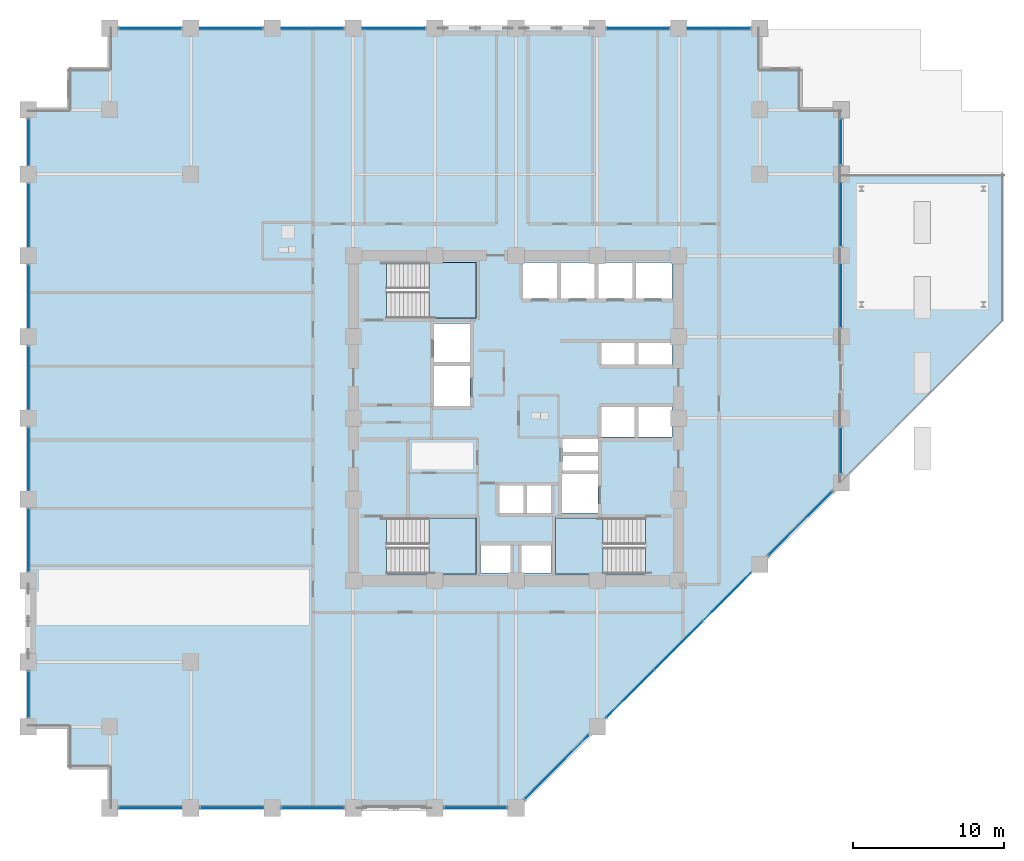
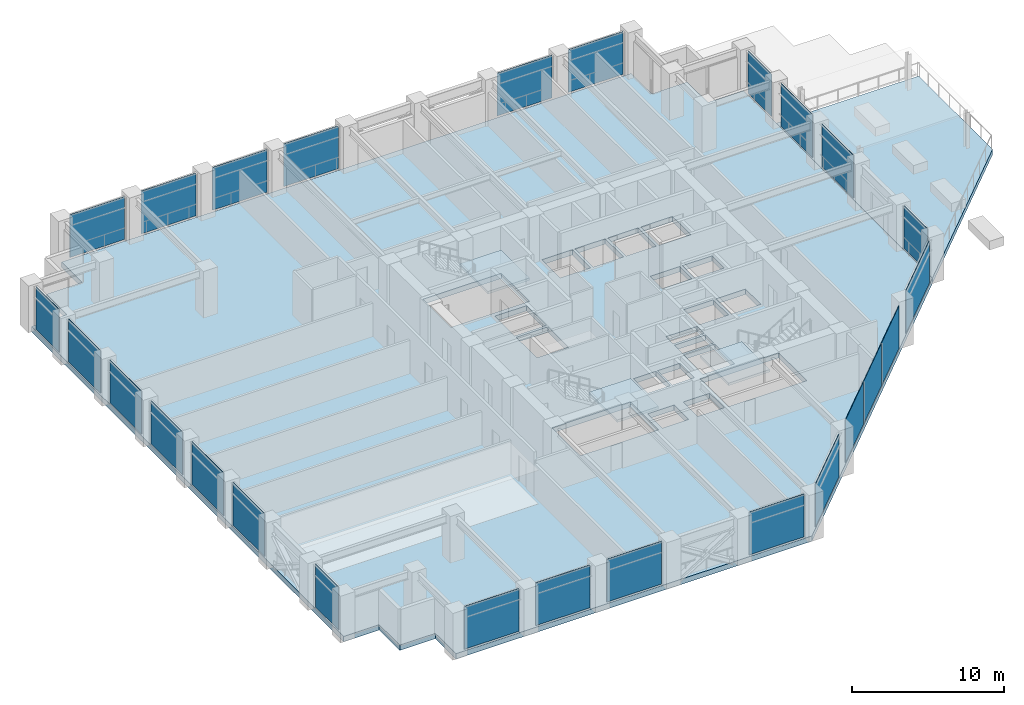
# One storey, part 18 of 30: 26 plates, 5 slabs, 12 elements without a shape of their own.
"""IFC4 building model written with IfcOpenShell, lengths in metres."""

import ifcopenshell
import ifcopenshell.guid

model = None  # the IFC model being written
_history = None  # IfcOwnerHistory: only IFC2X3 demands one
_inside = {}  # id of a spatial element -> (the spatial element, [elements in it])
_under = {}  # id of a project, library or spatial element -> (it, [spatial elements below it])
_declared = {}  # id of a project -> (the project, [libraries it declares])
_typed = {}  # id of a type object -> (the type object, [elements of that type])
_made_of = {}  # id of a material, layer set ... -> (it, [elements and type objects made of it])


def new_model(schema):
    """Start an empty IFC model of exactly this schema.

    Asked for "IFC4X3", IfcOpenShell would pick the latest addendum, in which some entities
    have other attributes; the version numbers below select the first issue.
    IFC2X3 requires an IfcOwnerHistory on every rooted entity: one is made here for all.
    """
    global model, _history
    if schema == "IFC4X3":
        model = ifcopenshell.file(schema_version=(4, 3, 0, 0))
    else:
        model = ifcopenshell.file(schema=schema)
    _inside.clear()
    _under.clear()
    _declared.clear()
    _typed.clear()
    _made_of.clear()
    _history = None
    if model.schema == "IFC2X3":
        org = make("IfcOrganization", Name="unknown")
        user = make(
            "IfcPersonAndOrganization",
            ThePerson=make("IfcPerson", FamilyName="unknown"),
            TheOrganization=org,
        )
        app = make(
            "IfcApplication",
            ApplicationDeveloper=org,
            Version="unknown",
            ApplicationFullName="unknown",
            ApplicationIdentifier="unknown",
        )
        _history = make(
            "IfcOwnerHistory",
            OwningUser=user,
            OwningApplication=app,
            ChangeAction="ADDED",
            CreationDate=0,
        )
    return model


def make(cls, **values):
    """One entity of the class cls with the attributes given. An attribute that is None is left unset."""
    return model.create_entity(
        cls, **{name: value for name, value in values.items() if value is not None}
    )


def rooted(cls, **values):
    """An entity with a GlobalId (a new one), such as an element, a storey or a relation."""
    return make(cls, GlobalId=ifcopenshell.guid.new(), OwnerHistory=_history, **values)


def si_unit(unit_type, name, prefix=None):
    """IfcSIUnit, for example si_unit("LENGTHUNIT", "METRE", prefix="MILLI")."""
    return make("IfcSIUnit", UnitType=unit_type, Prefix=prefix, Name=name)


def assignment(units):
    """IfcUnitAssignment: the units of a project."""
    return None if units is None else make("IfcUnitAssignment", Units=units)


def point(xyz):
    """IfcCartesianPoint."""
    return None if xyz is None else make("IfcCartesianPoint", Coordinates=xyz)


def direction(xyz):
    """IfcDirection."""
    return None if xyz is None else make("IfcDirection", DirectionRatios=xyz)


def frame(location, z_axis=None, x_axis=None):
    """IfcAxis2Placement3D, a coordinate frame: its origin and axes. An axis left out is left unset."""
    return make(
        "IfcAxis2Placement3D",
        Location=point(location),
        Axis=direction(z_axis),
        RefDirection=direction(x_axis),
    )


def frame_2d(location, x_axis=None):
    """IfcAxis2Placement2D, a coordinate frame in the plane: its origin and x axis."""
    return make(
        "IfcAxis2Placement2D", Location=point(location), RefDirection=direction(x_axis)
    )


def origin():
    """The frame at (0, 0, 0) with its axes left unset."""
    return frame((0.0, 0.0, 0.0))


def place(relative_to, where):
    """IfcLocalPlacement: puts the frame where relative to a parent placement (None: the world)."""
    return make(
        "IfcLocalPlacement", PlacementRelTo=relative_to, RelativePlacement=where
    )


def context(
    kind, dimensions, precision=None, world=None, true_north=None, identifier=None
):
    """IfcGeometricRepresentationContext, for example the 3D "Model" context."""
    return make(
        "IfcGeometricRepresentationContext",
        ContextIdentifier=identifier,
        ContextType=kind,
        CoordinateSpaceDimension=dimensions,
        Precision=precision,
        WorldCoordinateSystem=world,
        TrueNorth=true_north,
    )


def subcontext(parent, identifier, kind, view, scale=None):
    """IfcGeometricRepresentationSubContext, for example "Body" below "Model"."""
    return make(
        "IfcGeometricRepresentationSubContext",
        ContextIdentifier=identifier,
        ContextType=kind,
        ParentContext=parent,
        TargetScale=scale,
        TargetView=view,
    )


def project(units=None, contexts=None):
    """IfcProject with its units and contexts."""
    return rooted(
        "IfcProject",
        Name="project",
        RepresentationContexts=contexts,
        UnitsInContext=assignment(units),
    )


def spatial(cls, under=None, at=None, **own):
    """A site, building, storey or space (cls), placed at a placement, below another one or the project."""
    s = rooted(cls, ObjectPlacement=at, **own)
    if under is not None:
        _under.setdefault(under.id(), (under, []))[1].append(s)
    return s


def polyline(points):
    """IfcPolyline through the points."""
    return make("IfcPolyline", Points=[point(p) for p in points])


def profile(cls, at=None, kind="AREA", **sizes):
    """A parametric profile (cls). Its sizes go by their IFC names, for example OverallWidth=200.0."""
    return make(cls, ProfileType=kind, Position=at, **sizes)


def rectangle(**sizes):
    """IfcRectangleProfileDef."""
    return profile("IfcRectangleProfileDef", **sizes)


def outline(outer, holes=None, kind="AREA"):
    """IfcArbitraryClosedProfileDef: a profile drawn as a closed curve; with holes, ...WithVoids."""
    if holes is None:
        return make("IfcArbitraryClosedProfileDef", ProfileType=kind, OuterCurve=outer)
    return make(
        "IfcArbitraryProfileDefWithVoids",
        ProfileType=kind,
        OuterCurve=outer,
        InnerCurves=holes,
    )


def extrude(swept, where, along, depth):
    """IfcExtrudedAreaSolid: the profile swept, set in the frame where, extruded along a direction by depth."""
    return make(
        "IfcExtrudedAreaSolid",
        SweptArea=swept,
        Position=where,
        ExtrudedDirection=direction(along),
        Depth=depth,
    )


def shape(context_of_items, identifier, shape_type, items):
    """IfcShapeRepresentation: the items that make up one representation, for example the "Body"."""
    return make(
        "IfcShapeRepresentation",
        ContextOfItems=context_of_items,
        RepresentationIdentifier=identifier,
        RepresentationType=shape_type,
        Items=items,
    )


def material(Name=None, Category=None):
    """IfcMaterial."""
    return make("IfcMaterial", Name=Name, Category=Category)


def layer(
    of_material, thickness, ventilated=None, Name=None, Category=None, Priority=None
):
    """IfcMaterialLayer: one layer of a wall or slab, of a material (None: an air gap)."""
    return make(
        "IfcMaterialLayer",
        Material=of_material,
        LayerThickness=thickness,
        IsVentilated=ventilated,
        Name=Name,
        Category=Category,
        Priority=Priority,
    )


def layer_set(layers, Name=None):
    """IfcMaterialLayerSet."""
    return make("IfcMaterialLayerSet", MaterialLayers=layers, LayerSetName=Name)


def made_of(thing, what):
    """Note that an element or type object is made of a material, layer set ...; save() writes the relation."""
    if what is not None:
        _made_of.setdefault(what.id(), (what, []))[1].append(thing)
    return thing


def type_object(cls, material=None, **own):
    """A type object (cls), such as IfcWallType, which elements share."""
    return made_of(rooted(cls, **own), material)


def element(
    cls,
    number,
    at=None,
    inside=None,
    cuts=None,
    type_object=None,
    material=None,
    context=None,
    identifier="Body",
    shape_type=None,
    held_by="IfcProductDefinitionShape",
    body=None,
    shapes=None,
    **own,
):
    """One element of the class cls, such as IfcWall. Its Tag is "e" and its number.

    at: its placement. inside: the storey or other place that contains it. cuts: it is an
    opening in that element (IfcRelVoidsElement). A single representation is given by context,
    identifier, shape_type and body (its items); several are given by shapes. held_by: the class
    of the entity that holds the representations. save() writes the other relations.
    """
    e = rooted(cls, Tag="e%d" % number, ObjectPlacement=at, **own)
    if body is not None:
        shapes = [shape(context, identifier, shape_type, body)]
    if shapes is not None:
        e.Representation = make(held_by, Representations=shapes)
    if inside is not None:
        _inside.setdefault(inside.id(), (inside, []))[1].append(e)
    if cuts is not None:
        rooted(
            "IfcRelVoidsElement", RelatingBuildingElement=cuts, RelatedOpeningElement=e
        )
    if type_object is not None:
        _typed.setdefault(type_object.id(), (type_object, []))[1].append(e)
    return made_of(e, material)


def aggregate(whole, parts):
    """IfcRelAggregates: a whole, such as a stair, and the parts it consists of."""
    return rooted("IfcRelAggregates", RelatingObject=whole, RelatedObjects=parts)


def save(model, path):
    """Write the relations noted so far, then the file.

    IfcRelAggregates (storeys below a building ...), IfcRelContainedInSpatialStructure (elements
    in a storey), IfcRelDefinesByType, IfcRelAssociatesMaterial and IfcRelDeclares: one each for
    every whole, place, type object, material and project.
    """
    for whole, parts in _under.values():
        aggregate(whole, parts)
    for where, things in _inside.values():
        rooted(
            "IfcRelContainedInSpatialStructure",
            RelatedElements=things,
            RelatingStructure=where,
        )
    for kind, things in _typed.values():
        rooted("IfcRelDefinesByType", RelatedObjects=things, RelatingType=kind)
    for what, things in _made_of.values():
        rooted("IfcRelAssociatesMaterial", RelatedObjects=things, RelatingMaterial=what)
    for by, libraries in _declared.values():
        rooted("IfcRelDeclares", RelatingContext=by, RelatedDefinitions=libraries)
    model.write(path)


model = new_model("IFC4")

# Units and contexts
model_context = context("Model", 3, precision=1e-05, world=origin(), true_north=direction((0.0, 1.0)))
body_context = subcontext(model_context, "Body", "Model", "MODEL_VIEW")
ifc_project = project(units=[si_unit("LENGTHUNIT", "METRE"), si_unit("AREAUNIT", "SQUARE_METRE"), si_unit("VOLUMEUNIT", "CUBIC_METRE"), si_unit("PLANEANGLEUNIT", "RADIAN"), si_unit("MASSUNIT", "GRAM", prefix="KILO")], contexts=[model_context])

# Site, building, storey
site_placement = place(None, origin())
site = spatial("IfcSite", under=ifc_project, at=site_placement, CompositionType="ELEMENT")
building_placement = place(site_placement, origin())
building = spatial("IfcBuilding", under=site, at=building_placement, Name="Surkhivell Harbour Commons", CompositionType="ELEMENT")
storey_placement = place(building_placement, frame((0.0, 0.0, 83.25)))
storey = spatial("IfcBuildingStorey", under=building, at=storey_placement, Name="L21", CompositionType="ELEMENT", Elevation=83.25)

# Curtain wall, plates
ifc_material_1 = material(Name="Anodised pale-metal aluminium and insulated glazing", Category="aluminium")
ifc_layer_1 = layer(ifc_material_1, 0.205078125)
ifc_layer_set_1 = layer_set([ifc_layer_1], Name="Anodised pale-metal aluminium and insulated glazing")
curtain_wall_type = type_object("IfcCurtainWallType", Name="CW-SYS-Z2", PredefinedType="NOTDEFINED", material=ifc_layer_set_1)
curtain_wall_1_placement = place(storey_placement, origin())
curtain_wall_1 = element("IfcCurtainWall", 1, at=curtain_wall_1_placement, inside=storey, type_object=curtain_wall_type, Name="L21 Curtain Wall CW-L21-E00S1", PredefinedType="NOTDEFINED")
ifc_material_2 = material(Name="High-pressure typhoon laminated vision glass", Category="glass")
ifc_layer_2 = layer(ifc_material_2, 0.035888671875)
ifc_layer_set_2 = layer_set([ifc_layer_2], Name="High-pressure typhoon laminated vision glass")
plate_type = type_object("IfcPlateType", Name="CWP-GLZ-36", PredefinedType="CURTAIN_PANEL", material=ifc_layer_set_2)
plate_1_placement = place(storey_placement, frame((-26.373046875, -25.89990234375, 0.14990234375), z_axis=(0.0, 0.0, 1.0), x_axis=(1.0, 0.0, 0.0)))
plate_1 = element("IfcPlate", 2, at=plate_1_placement, type_object=plate_type, Name="CW-Z2 panel 1.1", PredefinedType="CURTAIN_PANEL", context=body_context, shape_type="SweptSolid", body=[
    extrude(rectangle(XDim=4.14599609375, YDim=0.035888671875, at=frame_2d((2.072998046875, 0.0))), origin(), (0.0, 0.0, 1.0), 3.420166015625),
])
plate_2_placement = place(storey_placement, frame((-20.972900390625, -25.89990234375, 0.14990234375), z_axis=(0.0, 0.0, 1.0), x_axis=(1.0, 0.0, 0.0)))
plate_2 = element("IfcPlate", 3, at=plate_2_placement, type_object=plate_type, Name="CW-Z2 panel 2.1", PredefinedType="CURTAIN_PANEL", context=body_context, shape_type="SweptSolid", body=[
    extrude(rectangle(XDim=4.14599609375, YDim=0.035888671875, at=frame_2d((2.072998046875, 0.0))), origin(), (0.0, 0.0, 1.0), 3.420166015625),
])
plate_3_placement = place(storey_placement, frame((-15.572998046875, -25.89990234375, 0.14990234375), z_axis=(0.0, 0.0, 1.0), x_axis=(1.0, 0.0, 0.0)))
plate_3 = element("IfcPlate", 4, at=plate_3_placement, type_object=plate_type, Name="CW-Z2 panel 3.1", PredefinedType="CURTAIN_PANEL", context=body_context, shape_type="SweptSolid", body=[
    extrude(rectangle(XDim=4.14599609375, YDim=0.035888671875, at=frame_2d((2.072998046875, 0.0))), origin(), (0.0, 0.0, 1.0), 3.420166015625),
])
aggregate(curtain_wall_1, [plate_1, plate_2, plate_3])

# Curtain wall, plate
curtain_wall_2_placement = place(storey_placement, origin())
curtain_wall_2 = element("IfcCurtainWall", 5, at=curtain_wall_2_placement, inside=storey, type_object=curtain_wall_type, Name="L21 Curtain Wall CW-L21-E00S2", PredefinedType="NOTDEFINED")
plate_4_placement = place(storey_placement, frame((-4.77294921875, -25.89990234375, 0.14990234375), z_axis=(0.0, 0.0, 1.0), x_axis=(1.0, 0.0, 0.0)))
plate_4 = element("IfcPlate", 6, at=plate_4_placement, type_object=plate_type, Name="CW-Z2 panel 1.1", PredefinedType="CURTAIN_PANEL", context=body_context, shape_type="SweptSolid", body=[
    extrude(rectangle(XDim=4.14599609375, YDim=0.035888671875, at=frame_2d((2.072998046875, 0.0))), origin(), (0.0, 0.0, 1.0), 3.420166015625),
])
aggregate(curtain_wall_2, [plate_4])

# Curtain wall, plates
curtain_wall_3_placement = place(storey_placement, origin())
curtain_wall_3 = element("IfcCurtainWall", 7, at=curtain_wall_3_placement, inside=storey, type_object=curtain_wall_type, Name="L21 Curtain Wall CW-L21-E01", PredefinedType="NOTDEFINED")
plate_5_placement = place(storey_placement, frame((0.604736328125, -25.295166015625, 0.14990234375), z_axis=(0.0, 0.0, 1.0), x_axis=(0.707106781187, 0.707106781187, 0.0)))
plate_5 = element("IfcPlate", 8, at=plate_5_placement, type_object=plate_type, Name="CW-Z2 panel 1.1", PredefinedType="CURTAIN_PANEL", context=body_context, shape_type="SweptSolid", body=[
    extrude(rectangle(XDim=5.92626953125, YDim=0.035888671875, at=frame_2d((2.963134765625, 0.0))), origin(), (0.0, 0.0, 1.0), 3.420166015625),
])
plate_6_placement = place(storey_placement, frame((6.004638671875, -19.895263671875, 0.14990234375), z_axis=(0.0, 0.0, 1.0), x_axis=(0.707134159244, 0.707079402069, 0.0)))
plate_6 = element("IfcPlate", 9, at=plate_6_placement, type_object=plate_type, Name="CW-Z2 panel 2.1", PredefinedType="CURTAIN_PANEL", context=body_context, shape_type="SweptSolid", body=[
    extrude(rectangle(XDim=4.45849609375, YDim=0.035888671875, at=frame_2d((2.229248046875, 0.0))), origin(), (0.0, 0.0, 1.0), 3.420166015625),
])
plate_7_placement = place(storey_placement, frame((9.21044921875, -16.689697265625, 0.14990234375), z_axis=(0.0, 0.0, 1.0), x_axis=(0.707106781187, 0.707106781187, 0.0)))
plate_7 = element("IfcPlate", 10, at=plate_7_placement, type_object=plate_type, Name="CW-Z2 panel 3.1", PredefinedType="CURTAIN_PANEL", context=body_context, shape_type="SweptSolid", body=[
    extrude(rectangle(XDim=4.49609375, YDim=0.035888671875, at=frame_2d((2.248046875, 0.0))), origin(), (0.0, 0.0, 1.0), 3.420166015625),
])
plate_8_placement = place(storey_placement, frame((12.442626953125, -13.457275390625, 0.14990234375), z_axis=(0.0, 0.0, 1.0), x_axis=(0.707106781187, 0.707106781187, 0.0)))
plate_8 = element("IfcPlate", 11, at=plate_8_placement, type_object=plate_type, Name="CW-Z2 panel 4.1", PredefinedType="CURTAIN_PANEL", context=body_context, shape_type="SweptSolid", body=[
    extrude(rectangle(XDim=4.45849609375, YDim=0.035888671875, at=frame_2d((2.229248046875, 0.0))), origin(), (0.0, 0.0, 1.0), 3.420166015625),
])
plate_9_placement = place(storey_placement, frame((16.8046875, -9.09521484375, 0.14990234375), z_axis=(0.0, 0.0, 1.0), x_axis=(0.707127378829, 0.707086182944, 0.0)))
plate_9 = element("IfcPlate", 12, at=plate_9_placement, type_object=plate_type, Name="CW-Z2 panel 5.1", PredefinedType="CURTAIN_PANEL", context=body_context, shape_type="SweptSolid", body=[
    extrude(rectangle(XDim=5.92626953125, YDim=0.035888671875, at=frame_2d((2.963134765625, 0.0))), origin(), (0.0, 0.0, 1.0), 3.420166015625),
])
aggregate(curtain_wall_3, [plate_5, plate_6, plate_7, plate_8, plate_9])

# Curtain wall, plate
curtain_wall_4_placement = place(storey_placement, origin())
curtain_wall_4 = element("IfcCurtainWall", 13, at=curtain_wall_4_placement, inside=storey, type_object=curtain_wall_type, Name="L21 Curtain Wall CW-L21-E02A", PredefinedType="NOTDEFINED")
plate_10_placement = place(storey_placement, frame((21.60009765625, -3.673095703125, 0.14990234375), z_axis=(0.0, 0.0, 1.0), x_axis=(0.0, 1.0, 0.0)))
plate_10 = element("IfcPlate", 14, at=plate_10_placement, type_object=plate_type, Name="CW-Z2 panel 1.1", PredefinedType="CURTAIN_PANEL", context=body_context, shape_type="SweptSolid", body=[
    extrude(rectangle(XDim=3.046142578125, YDim=0.035888671875, at=frame_2d((1.52294921875, 0.0))), origin(), (0.0, 0.0, 1.0), 3.420166015625),
])
aggregate(curtain_wall_4, [plate_10])

# Curtain wall, plates
curtain_wall_5_placement = place(storey_placement, origin())
curtain_wall_5 = element("IfcCurtainWall", 15, at=curtain_wall_5_placement, inside=storey, type_object=curtain_wall_type, Name="L21 Curtain Wall CW-L21-E02B", PredefinedType="NOTDEFINED")
plate_11_placement = place(storey_placement, frame((21.60009765625, 6.027099609375, 0.14990234375), z_axis=(0.0, 0.0, 1.0), x_axis=(0.0, 1.0, 0.0)))
plate_11 = element("IfcPlate", 16, at=plate_11_placement, type_object=plate_type, Name="CW-Z2 panel 1.1", PredefinedType="CURTAIN_PANEL", context=body_context, shape_type="SweptSolid", body=[
    extrude(rectangle(XDim=4.14599609375, YDim=0.035888671875, at=frame_2d((2.072998046875, 0.0))), origin(), (0.0, 0.0, 1.0), 3.420166015625),
])
plate_12_placement = place(storey_placement, frame((21.60009765625, 11.427001953125, 0.14990234375), z_axis=(0.0, 0.0, 1.0), x_axis=(0.0, 1.0, 0.0)))
plate_12 = element("IfcPlate", 17, at=plate_12_placement, type_object=plate_type, Name="CW-Z2 panel 2.1", PredefinedType="CURTAIN_PANEL", context=body_context, shape_type="SweptSolid", body=[
    extrude(rectangle(XDim=4.14599609375, YDim=0.035888671875, at=frame_2d((2.072998046875, 0.0))), origin(), (0.0, 0.0, 1.0), 3.420166015625),
])
plate_13_placement = place(storey_placement, frame((21.60009765625, 16.826904296875, 0.14990234375), z_axis=(0.0, 0.0, 1.0), x_axis=(0.0, 1.0, 0.0)))
plate_13 = element("IfcPlate", 18, at=plate_13_placement, type_object=plate_type, Name="CW-Z2 panel 3.1", PredefinedType="CURTAIN_PANEL", context=body_context, shape_type="SweptSolid", body=[
    extrude(rectangle(XDim=3.046142578125, YDim=0.035888671875, at=frame_2d((1.52294921875, 0.0))), origin(), (0.0, 0.0, 1.0), 3.420166015625),
])
aggregate(curtain_wall_5, [plate_11, plate_12, plate_13])

curtain_wall_6_placement = place(storey_placement, origin())
curtain_wall_6 = element("IfcCurtainWall", 19, at=curtain_wall_6_placement, inside=storey, type_object=curtain_wall_type, Name="L21 Curtain Wall CW-L21-E07S1", PredefinedType="NOTDEFINED")
plate_14_placement = place(storey_placement, frame((15.572998046875, 25.89990234375, 0.14990234375), z_axis=(0.0, 0.0, 1.0), x_axis=(-1.0, 0.0, 0.0)))
plate_14 = element("IfcPlate", 20, at=plate_14_placement, type_object=plate_type, Name="CW-Z2 panel 1.1", PredefinedType="CURTAIN_PANEL", context=body_context, shape_type="SweptSolid", body=[
    extrude(rectangle(XDim=4.14599609375, YDim=0.035888671875, at=frame_2d((2.072998046875, 0.0))), origin(), (0.0, 0.0, 1.0), 3.420166015625),
])
plate_15_placement = place(storey_placement, frame((10.173095703125, 25.89990234375, 0.14990234375), z_axis=(0.0, 0.0, 1.0), x_axis=(-1.0, 0.0, 0.0)))
plate_15 = element("IfcPlate", 21, at=plate_15_placement, type_object=plate_type, Name="CW-Z2 panel 2.1", PredefinedType="CURTAIN_PANEL", context=body_context, shape_type="SweptSolid", body=[
    extrude(rectangle(XDim=4.14599609375, YDim=0.035888671875, at=frame_2d((2.072998046875, 0.0))), origin(), (0.0, 0.0, 1.0), 3.420166015625),
])
aggregate(curtain_wall_6, [plate_14, plate_15])

curtain_wall_7_placement = place(storey_placement, origin())
curtain_wall_7 = element("IfcCurtainWall", 22, at=curtain_wall_7_placement, inside=storey, type_object=curtain_wall_type, Name="L21 Curtain Wall CW-L21-E07S2", PredefinedType="NOTDEFINED")
plate_16_placement = place(storey_placement, frame((-6.027099609375, 25.89990234375, 0.14990234375), z_axis=(0.0, 0.0, 1.0), x_axis=(-1.0, 0.0, 0.0)))
plate_16 = element("IfcPlate", 23, at=plate_16_placement, type_object=plate_type, Name="CW-Z2 panel 1.1", PredefinedType="CURTAIN_PANEL", context=body_context, shape_type="SweptSolid", body=[
    extrude(rectangle(XDim=4.14599609375, YDim=0.035888671875, at=frame_2d((2.072998046875, 0.0))), origin(), (0.0, 0.0, 1.0), 3.420166015625),
])
plate_17_placement = place(storey_placement, frame((-11.427001953125, 25.89990234375, 0.14990234375), z_axis=(0.0, 0.0, 1.0), x_axis=(-1.0, 0.0, 0.0)))
plate_17 = element("IfcPlate", 24, at=plate_17_placement, type_object=plate_type, Name="CW-Z2 panel 2.1", PredefinedType="CURTAIN_PANEL", context=body_context, shape_type="SweptSolid", body=[
    extrude(rectangle(XDim=4.14599609375, YDim=0.035888671875, at=frame_2d((2.072998046875, 0.0))), origin(), (0.0, 0.0, 1.0), 3.420166015625),
])
plate_18_placement = place(storey_placement, frame((-16.826904296875, 25.89990234375, 0.14990234375), z_axis=(0.0, 0.0, 1.0), x_axis=(-1.0, 0.0, 0.0)))
plate_18 = element("IfcPlate", 25, at=plate_18_placement, type_object=plate_type, Name="CW-Z2 panel 3.1", PredefinedType="CURTAIN_PANEL", context=body_context, shape_type="SweptSolid", body=[
    extrude(rectangle(XDim=4.14599609375, YDim=0.035888671875, at=frame_2d((2.072998046875, 0.0))), origin(), (0.0, 0.0, 1.0), 3.420166015625),
])
plate_19_placement = place(storey_placement, frame((-22.22705078125, 25.89990234375, 0.14990234375), z_axis=(0.0, 0.0, 1.0), x_axis=(-1.0, 0.0, 0.0)))
plate_19 = element("IfcPlate", 26, at=plate_19_placement, type_object=plate_type, Name="CW-Z2 panel 4.1", PredefinedType="CURTAIN_PANEL", context=body_context, shape_type="SweptSolid", body=[
    extrude(rectangle(XDim=4.14599609375, YDim=0.035888671875, at=frame_2d((2.072998046875, 0.0))), origin(), (0.0, 0.0, 1.0), 3.420166015625),
])
aggregate(curtain_wall_7, [plate_16, plate_17, plate_18, plate_19])

curtain_wall_8_placement = place(storey_placement, origin())
curtain_wall_8 = element("IfcCurtainWall", 27, at=curtain_wall_8_placement, inside=storey, type_object=curtain_wall_type, Name="L21 Curtain Wall CW-L21-E12S1", PredefinedType="NOTDEFINED")
plate_20_placement = place(storey_placement, frame((-32.39990234375, 19.873046875, 0.14990234375), z_axis=(0.0, 0.0, 1.0), x_axis=(0.0, -1.0, 0.0)))
plate_20 = element("IfcPlate", 28, at=plate_20_placement, type_object=plate_type, Name="CW-Z2 panel 1.1", PredefinedType="CURTAIN_PANEL", context=body_context, shape_type="SweptSolid", body=[
    extrude(rectangle(XDim=3.046142578125, YDim=0.035888671875, at=frame_2d((1.52294921875, 0.0))), origin(), (0.0, 0.0, 1.0), 3.420166015625),
])
plate_21_placement = place(storey_placement, frame((-32.39990234375, 15.572998046875, 0.14990234375), z_axis=(0.0, 0.0, 1.0), x_axis=(0.0, -1.0, 0.0)))
plate_21 = element("IfcPlate", 29, at=plate_21_placement, type_object=plate_type, Name="CW-Z2 panel 2.1", PredefinedType="CURTAIN_PANEL", context=body_context, shape_type="SweptSolid", body=[
    extrude(rectangle(XDim=4.14599609375, YDim=0.035888671875, at=frame_2d((2.072998046875, 0.0))), origin(), (0.0, 0.0, 1.0), 3.420166015625),
])
plate_22_placement = place(storey_placement, frame((-32.39990234375, 10.173095703125, 0.14990234375), z_axis=(0.0, 0.0, 1.0), x_axis=(0.0, -1.0, 0.0)))
plate_22 = element("IfcPlate", 30, at=plate_22_placement, type_object=plate_type, Name="CW-Z2 panel 3.1", PredefinedType="CURTAIN_PANEL", context=body_context, shape_type="SweptSolid", body=[
    extrude(rectangle(XDim=4.14599609375, YDim=0.035888671875, at=frame_2d((2.072998046875, 0.0))), origin(), (0.0, 0.0, 1.0), 3.420166015625),
])
plate_23_placement = place(storey_placement, frame((-32.39990234375, 4.77294921875, 0.14990234375), z_axis=(0.0, 0.0, 1.0), x_axis=(0.0, -1.0, 0.0)))
plate_23 = element("IfcPlate", 31, at=plate_23_placement, type_object=plate_type, Name="CW-Z2 panel 4.1", PredefinedType="CURTAIN_PANEL", context=body_context, shape_type="SweptSolid", body=[
    extrude(rectangle(XDim=4.14599609375, YDim=0.035888671875, at=frame_2d((2.072998046875, 0.0))), origin(), (0.0, 0.0, 1.0), 3.420166015625),
])
plate_24_placement = place(storey_placement, frame((-32.39990234375, -0.626953125, 0.14990234375), z_axis=(0.0, 0.0, 1.0), x_axis=(0.0, -1.0, 0.0)))
plate_24 = element("IfcPlate", 32, at=plate_24_placement, type_object=plate_type, Name="CW-Z2 panel 5.1", PredefinedType="CURTAIN_PANEL", context=body_context, shape_type="SweptSolid", body=[
    extrude(rectangle(XDim=4.14599609375, YDim=0.035888671875, at=frame_2d((2.072998046875, 0.0))), origin(), (0.0, 0.0, 1.0), 3.420166015625),
])
plate_25_placement = place(storey_placement, frame((-32.39990234375, -6.027099609375, 0.14990234375), z_axis=(0.0, 0.0, 1.0), x_axis=(0.0, -1.0, 0.0)))
plate_25 = element("IfcPlate", 33, at=plate_25_placement, type_object=plate_type, Name="CW-Z2 panel 6.1", PredefinedType="CURTAIN_PANEL", context=body_context, shape_type="SweptSolid", body=[
    extrude(rectangle(XDim=4.14599609375, YDim=0.035888671875, at=frame_2d((2.072998046875, 0.0))), origin(), (0.0, 0.0, 1.0), 3.420166015625),
])
aggregate(curtain_wall_8, [plate_20, plate_21, plate_22, plate_23, plate_24, plate_25])

# Curtain wall, plate
curtain_wall_9_placement = place(storey_placement, origin())
curtain_wall_9 = element("IfcCurtainWall", 34, at=curtain_wall_9_placement, inside=storey, type_object=curtain_wall_type, Name="L21 Curtain Wall CW-L21-E12S2", PredefinedType="NOTDEFINED")
plate_26_placement = place(storey_placement, frame((-32.39990234375, -16.826904296875, 0.14990234375), z_axis=(0.0, 0.0, 1.0), x_axis=(0.0, -1.0, 0.0)))
plate_26 = element("IfcPlate", 35, at=plate_26_placement, type_object=plate_type, Name="CW-Z2 panel 1.1", PredefinedType="CURTAIN_PANEL", context=body_context, shape_type="SweptSolid", body=[
    extrude(rectangle(XDim=3.046142578125, YDim=0.035888671875, at=frame_2d((1.52294921875, 0.0))), origin(), (0.0, 0.0, 1.0), 3.420166015625),
])
aggregate(curtain_wall_9, [plate_26])

# Stair, slab
ifc_material_3 = material(Name="Precast concrete C45/55", Category="concrete")
stair_type = type_object("IfcStairType", Name="STR-DL-375", PredefinedType="HALF_TURN_STAIR", material=ifc_material_3)
stair_1_placement = place(storey_placement, origin())
stair_1 = element("IfcStair", 36, at=stair_1_placement, inside=storey, type_object=stair_type, Name="L21 Core Exit Stair ST1", PredefinedType="HALF_TURN_STAIR")
ifc_material_4 = material(Name="Reinforced concrete C45/55", Category="concrete")
ifc_layer_3 = layer(ifc_material_4, 0.199951171875)
ifc_layer_set_3 = layer_set([ifc_layer_3], Name="Reinforced concrete C45/55")
slab_type_1 = type_object("IfcSlabType", Name="SLB-ST-LND200", PredefinedType="LANDING", material=ifc_layer_set_3)
slab_1_placement = place(storey_placement, frame((0.0, 0.0, 1.675048828125)))
slab_1 = element("IfcSlab", 37, at=slab_1_placement, type_object=slab_type_1, Name="ST1 landing 1", PredefinedType="LANDING", context=body_context, shape_type="SweptSolid", body=[
    extrude(outline(polyline([(-5.7900390625, 6.639892578125), (-2.639892578125, 6.639892578125), (-2.639892578125, 10.340087890625), (-5.7900390625, 10.340087890625), (-5.7900390625, 6.639892578125)])), origin(), (0.0, 0.0, 1.0), 0.199951171875),
])
aggregate(stair_1, [slab_1])

stair_2_placement = place(storey_placement, origin())
stair_2 = element("IfcStair", 38, at=stair_2_placement, inside=storey, type_object=stair_type, Name="L21 Core Exit Stair ST2", PredefinedType="HALF_TURN_STAIR")
slab_2_placement = place(storey_placement, frame((0.0, 0.0, 1.675048828125)))
slab_2 = element("IfcSlab", 39, at=slab_2_placement, type_object=slab_type_1, Name="ST2 landing 1", PredefinedType="LANDING", context=body_context, shape_type="SweptSolid", body=[
    extrude(outline(polyline([(5.7900390625, -6.639892578125), (2.639892578125, -6.639892578125), (2.639892578125, -10.340087890625), (5.7900390625, -10.340087890625), (5.7900390625, -6.639892578125)])), origin(), (0.0, 0.0, 1.0), 0.199951171875),
])
aggregate(stair_2, [slab_2])

stair_3_placement = place(storey_placement, origin())
stair_3 = element("IfcStair", 40, at=stair_3_placement, inside=storey, type_object=stair_type, Name="L21 Core Exit Stair ST3", PredefinedType="HALF_TURN_STAIR")
slab_3_placement = place(storey_placement, frame((0.0, 0.0, 1.675048828125)))
slab_3 = element("IfcSlab", 41, at=slab_3_placement, type_object=slab_type_1, Name="ST3 landing 1", PredefinedType="LANDING", context=body_context, shape_type="SweptSolid", body=[
    extrude(outline(polyline([(-5.7900390625, -10.340087890625), (-2.639892578125, -10.340087890625), (-2.639892578125, -6.639892578125), (-5.7900390625, -6.639892578125), (-5.7900390625, -10.340087890625)])), origin(), (0.0, 0.0, 1.0), 0.199951171875),
])
aggregate(stair_3, [slab_3])

# Slabs
ifc_material_5 = material(Name="Concrete C50/60", Category="concrete")
ifc_layer_4 = layer(ifc_material_5, 0.419921875)
ifc_layer_set_4 = layer_set([ifc_layer_4], Name="Concrete C50/60")
slab_type_2 = type_object("IfcSlabType", Name="SLB-TERR-420", PredefinedType="FLOOR", material=ifc_layer_set_4)
slab_4_placement = place(storey_placement, frame((0.0, 0.0, -0.419921875)))
element("IfcSlab", 42, at=slab_4_placement, inside=storey, type_object=slab_type_2, Name="L21 SG-1 East Sky-Garden Terrace", PredefinedType="FLOOR", context=body_context, shape_type="SweptSolid", body=[
    extrude(outline(polyline([(21.60009765625, -4.300048828125), (32.39990234375, 6.5), (32.39990234375, 16.199951171875), (21.60009765625, 16.199951171875), (21.60009765625, -4.300048828125)])), origin(), (0.0, 0.0, 1.0), 0.419921875),
])
ifc_material_6 = material(Name="Concrete C45/55", Category="concrete")
ifc_layer_5 = layer(ifc_material_6, 0.179931640625)
ifc_layer_set_5 = layer_set([ifc_layer_5], Name="Concrete C45/55")
slab_type_3 = type_object("IfcSlabType", Name="SLB-TYP-180", PredefinedType="FLOOR", material=ifc_layer_set_5)
slab_5_placement = place(storey_placement, frame((0.0, 0.0, -0.419921875)))
element("IfcSlab", 43, at=slab_5_placement, inside=storey, type_object=slab_type_3, Name="L21 Structural Floor Slab", PredefinedType="FLOOR", context=body_context, shape_type="SweptSolid", body=[
    extrude(outline(polyline([(-27.0, -25.89990234375), (0.0, -25.89990234375), (21.60009765625, -4.300048828125), (21.60009765625, 20.5), (18.89990234375, 20.5), (18.89990234375, 23.199951171875), (16.199951171875, 23.199951171875), (16.199951171875, 25.89990234375), (-27.0, 25.89990234375), (-27.0, 23.199951171875), (-29.699951171875, 23.199951171875), (-29.699951171875, 20.5), (-32.39990234375, 20.5), (-32.39990234375, -20.5), (-29.699951171875, -20.5), (-29.699951171875, -23.199951171875), (-27.0, -23.199951171875), (-27.0, -25.89990234375)]), holes=[polyline([(-8.590087890625, 6.639892578125), (-2.639892578125, 6.639892578125), (-2.639892578125, 10.340087890625), (-8.590087890625, 10.340087890625), (-8.590087890625, 6.639892578125)]), polyline([(8.590087890625, -6.639892578125), (2.639892578125, -6.639892578125), (2.639892578125, -10.340087890625), (8.590087890625, -10.340087890625), (8.590087890625, -6.639892578125)]), polyline([(-8.590087890625, -10.340087890625), (-2.639892578125, -10.340087890625), (-2.639892578125, -6.639892578125), (-8.590087890625, -6.639892578125), (-8.590087890625, -10.340087890625)]), polyline([(0.449951171875, 7.949951171875), (2.75, 7.949951171875), (2.75, 10.35009765625), (0.449951171875, 10.35009765625), (0.449951171875, 7.949951171875)]), polyline([(2.949951171875, 7.949951171875), (5.25, 7.949951171875), (5.25, 10.35009765625), (2.949951171875, 10.35009765625), (2.949951171875, 7.949951171875)]), polyline([(5.449951171875, 7.949951171875), (7.75, 7.949951171875), (7.75, 10.35009765625), (5.449951171875, 10.35009765625), (5.449951171875, 7.949951171875)]), polyline([(7.949951171875, 7.949951171875), (10.35009765625, 7.949951171875), (10.35009765625, 10.35009765625), (7.949951171875, 10.35009765625), (7.949951171875, 7.949951171875)]), polyline([(5.64990234375, 3.550048828125), (7.89990234375, 3.550048828125), (7.89990234375, 5.14990234375), (5.64990234375, 5.14990234375), (5.64990234375, 3.550048828125)]), polyline([(8.10009765625, 3.550048828125), (10.35009765625, 3.550048828125), (10.35009765625, 5.14990234375), (8.10009765625, 5.14990234375), (8.10009765625, 3.550048828125)]), polyline([(5.64990234375, -1.25), (7.89990234375, -1.25), (7.89990234375, 0.75), (5.64990234375, 0.75), (5.64990234375, -1.25)]), polyline([(8.10009765625, -1.25), (10.35009765625, -1.25), (10.35009765625, 0.75), (8.10009765625, 0.75), (8.10009765625, -1.25)]), polyline([(-1.14990234375, -6.35009765625), (0.550048828125, -6.35009765625), (0.550048828125, -4.449951171875), (-1.14990234375, -4.449951171875), (-1.14990234375, -6.35009765625)]), polyline([(0.679931640625, -6.35009765625), (2.3798828125, -6.35009765625), (2.3798828125, -4.449951171875), (0.679931640625, -4.449951171875), (0.679931640625, -6.35009765625)]), polyline([(-2.35009765625, -10.300048828125), (-0.35009765625, -10.300048828125), (-0.35009765625, -8.39990234375), (-2.35009765625, -8.39990234375), (-2.35009765625, -10.300048828125)]), polyline([(0.35009765625, -10.300048828125), (2.35009765625, -10.300048828125), (2.35009765625, -8.39990234375), (0.35009765625, -8.39990234375), (0.35009765625, -10.300048828125)]), polyline([(-5.449951171875, 3.699951171875), (-3.050048828125, 3.699951171875), (-3.050048828125, 6.300048828125), (-5.449951171875, 6.300048828125), (-5.449951171875, 3.699951171875)]), polyline([(3.050048828125, -6.300048828125), (5.449951171875, -6.300048828125), (5.449951171875, -3.699951171875), (3.050048828125, -3.699951171875), (3.050048828125, -6.300048828125)]), polyline([(-5.449951171875, 0.800048828125), (-3.050048828125, 0.800048828125), (-3.050048828125, 3.5), (-5.449951171875, 3.5), (-5.449951171875, 0.800048828125)]), polyline([(3.10009765625, -3.550048828125), (5.449951171875, -3.550048828125), (5.449951171875, -2.47998046875), (3.10009765625, -2.47998046875), (3.10009765625, -3.550048828125)]), polyline([(3.10009765625, -2.280029296875), (5.449951171875, -2.280029296875), (5.449951171875, -1.35009765625), (3.10009765625, -1.35009765625), (3.10009765625, -2.280029296875)])]), origin(), (0.0, 0.0, 1.0), 0.419921875),
])

save(model, "model.ifc")
